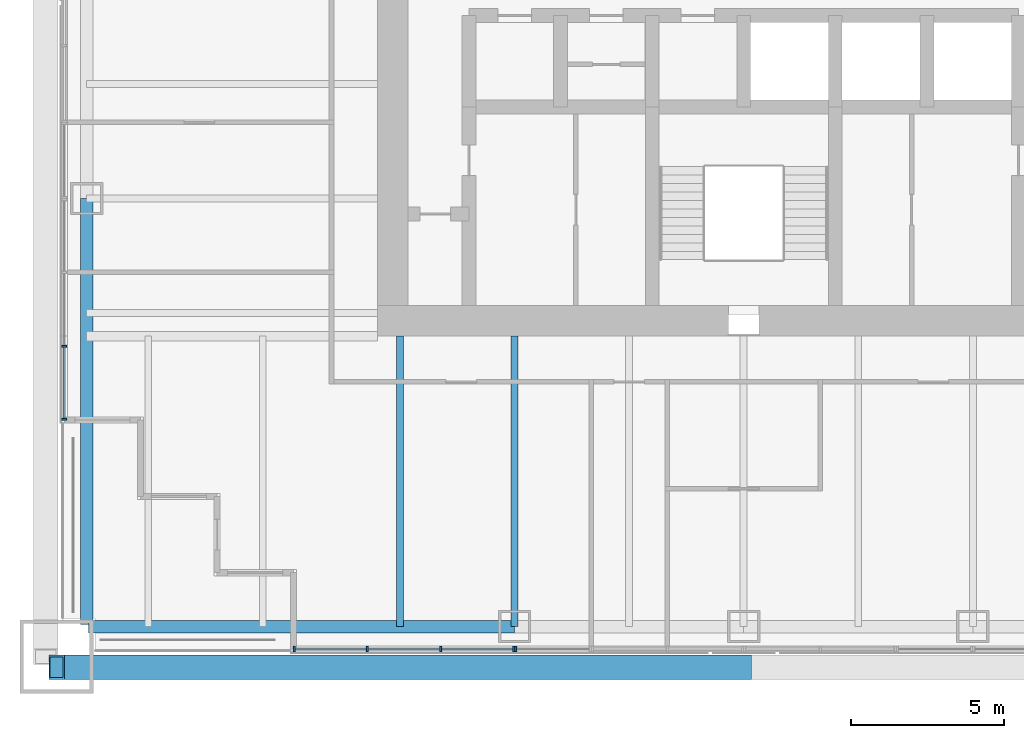
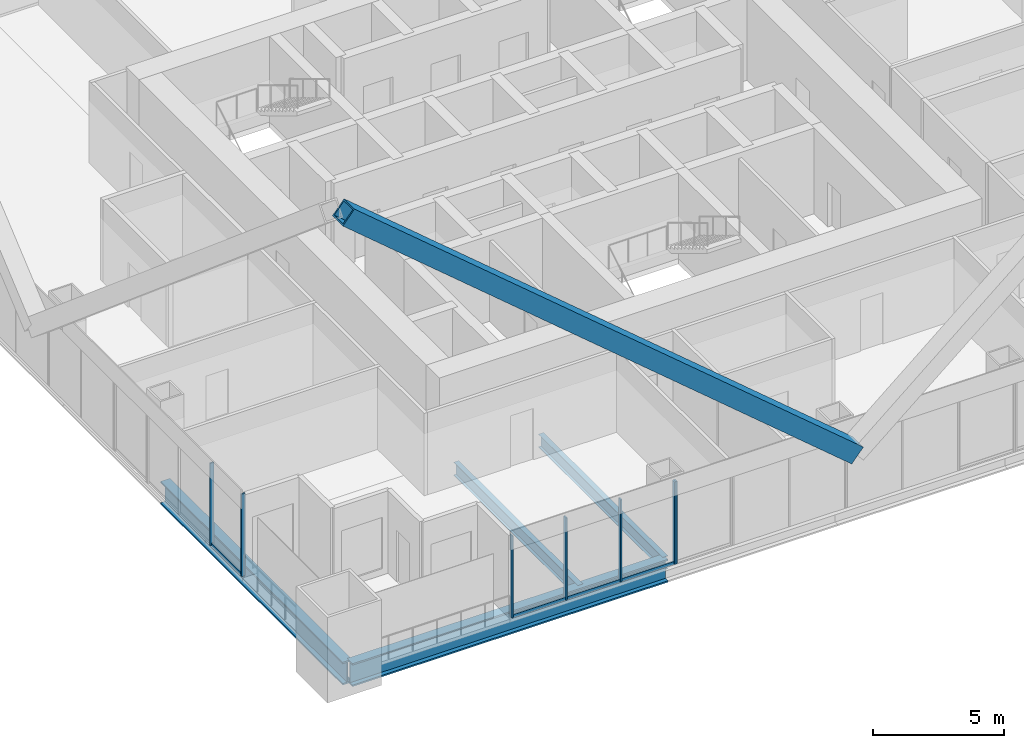
# One storey, part 2 of 19: 12 members, 4 beams, 3 elements without a shape of their own.
"""IFC4 building model written with IfcOpenShell, lengths in metres."""

from ifc_helpers import new_model, si_unit, direction, frame, origin, origin_2d, place, context, subcontext, project, spatial, rectangle, hollow_rectangle, i_section, extrude, material, material_profile, profile_set, type_object, element, aggregate, save


model = new_model("IFC4")

# Units and contexts
model_context = context("Model", 3, precision=1e-05, world=origin(), true_north=direction((0.0, 1.0)))
body_context = subcontext(model_context, "Body", "Model", "MODEL_VIEW")
ifc_project = project(units=[si_unit("LENGTHUNIT", "METRE"), si_unit("AREAUNIT", "SQUARE_METRE"), si_unit("VOLUMEUNIT", "CUBIC_METRE"), si_unit("PLANEANGLEUNIT", "RADIAN"), si_unit("MASSUNIT", "GRAM", prefix="KILO")], contexts=[model_context])

# Site, building, storey
site_placement = place(None, origin())
site = spatial("IfcSite", under=ifc_project, at=site_placement, CompositionType="ELEMENT")
building_placement = place(site_placement, origin())
building = spatial("IfcBuilding", under=site, at=building_placement, Name="Tarangal Relay Tower", CompositionType="ELEMENT")
storey_placement = place(building_placement, frame((0.0, 0.0, 193.89990234375)))
storey = spatial("IfcBuildingStorey", under=building, at=storey_placement, Name="L40", CompositionType="ELEMENT", Elevation=193.89990234375)

# Beams
ifc_material_1 = material(Name="Steel ASTM A992", Category="steel")
ifc_material_profile_1 = material_profile(ifc_material_1, i_section(OverallWidth=0.41650390625, OverallDepth=1.0693359375, WebThickness=0.0390625, FlangeThickness=0.070068359375, at=origin_2d()), Name="W40X503")
ifc_profile_set_1 = profile_set([ifc_material_profile_1], Name="Steel ASTM A992")
beam_type_1 = type_object("IfcBeamType", Name="Edge girder W40X503", PredefinedType="SPANDREL", material=ifc_profile_set_1)
for number, where, z_axis, x_axis, name in (
    (1, (-7.5, -21.514892578125, -0.6845703125), (-1.0, 0.0, 0.0), (0.0, -1.0, 0.0), "Edge girder EG8 S L40"),
    (2, (-21.514892578125, -21.449951171875, -0.6845703125), (0.0, 1.0, 0.0), (-1.0, 0.0, 0.0), "Edge girder EG8 W L40"),
):
    element("IfcBeam", number, at=place(storey_placement, frame(where, z_axis=z_axis, x_axis=x_axis)), inside=storey, type_object=beam_type_1, Name=name, PredefinedType="SPANDREL", context=body_context, shape_type="SweptSolid", body=[
        extrude(i_section(OverallWidth=0.41650390625, OverallDepth=1.0693359375, WebThickness=0.0390625, FlangeThickness=0.070068359375, at=origin_2d()), origin(), (0.0, 0.0, 1.0), 13.949951171875),
    ])
ifc_material_profile_2 = material_profile(ifc_material_1, i_section(OverallWidth=0.22900390625, OverallDepth=0.612060546875, WebThickness=0.011962890625, FlangeThickness=0.01953125, at=origin_2d()), Name="W24X84")
ifc_profile_set_2 = profile_set([ifc_material_profile_2], Name="Steel ASTM A992")
beam_type_2 = type_object("IfcBeamType", Name="Floor beam W24X84", PredefinedType="BEAM", material=ifc_profile_set_2)
for number, where, z_axis, x_axis, name in (
    (3, (-7.5, -12.0, -0.455810546875), (0.0, -1.0, 0.0), (1.0, 0.0, 0.0), "Floor beam RB12 S L40"),
    (4, (-11.25, -12.0, -0.455810546875), (0.0, -1.0, 0.0), (1.0, 0.0, 0.0), "Floor beam RB12 S L40"),
):
    element("IfcBeam", number, at=place(storey_placement, frame(where, z_axis=z_axis, x_axis=x_axis)), inside=storey, type_object=beam_type_2, Name=name, PredefinedType="BEAM", context=body_context, shape_type="SweptSolid", body=[
        extrude(i_section(OverallWidth=0.22900390625, OverallDepth=0.612060546875, WebThickness=0.011962890625, FlangeThickness=0.01953125, at=origin_2d()), origin(), (0.0, 0.0, 1.0), 9.514892578125),
    ])

# Member
ifc_material_2 = material(Name="Steel ASTM A572 Grade 50", Category="steel")
ifc_material_profile_3 = material_profile(ifc_material_2, hollow_rectangle(XDim=0.800048828125, YDim=0.800048828125, WallThickness=0.06494140625, at=origin_2d()), Name="BOX800X800X65")
ifc_profile_set_3 = profile_set([ifc_material_profile_3], Name="Steel ASTM A572 Grade 50")
member_type_1 = type_object("IfcMemberType", Name="Mega brace BOX800X800X65", PredefinedType="BRACE", material=ifc_profile_set_3)
member_1_placement = place(storey_placement, frame((0.0, -22.85009765625, 3.0), z_axis=(-0.764029915847, 0.0, 0.645180817826), x_axis=(0.0, -1.0, 0.0)))
element("IfcMember", 5, at=member_1_placement, inside=storey, type_object=member_type_1, Name="Mega brace MB3 S face module 1", PredefinedType="BRACE", context=body_context, shape_type="SweptSolid", body=[
    extrude(hollow_rectangle(XDim=0.800048828125, YDim=0.800048828125, WallThickness=0.06494140625, at=origin_2d()), origin(), (0.0, 0.0, 1.0), 29.44921875),
])

# Curtain wall, member
ifc_material_3 = material(Name="Unitised curtain wall, dark glass and black aluminium", Category="aluminium")
curtain_wall_type = type_object("IfcCurtainWallType", Name="Curtain wall CW-A", PredefinedType="USERDEFINED", material=ifc_material_3)
curtain_wall_1_placement = place(storey_placement, origin())
curtain_wall_1 = element("IfcCurtainWall", 6, at=curtain_wall_1_placement, inside=storey, type_object=curtain_wall_type, Name="Curtain wall CW-A S facade L40", ObjectType="UNITISED CURTAIN WALL", PredefinedType="USERDEFINED")
ifc_material_4 = material(Name="Black anodised aluminium mullion", Category="aluminium")
ifc_material_profile_4 = material_profile(ifc_material_4, rectangle(XDim=0.175048828125, YDim=0.06494140625, at=origin_2d()), Name="CW-AM 65X175")
ifc_profile_set_4 = profile_set([ifc_material_profile_4], Name="Black anodised aluminium mullion")
member_type_2 = type_object("IfcMemberType", Name="Mullion CW-A 65 x 175", PredefinedType="MULLION", material=ifc_profile_set_4)
member_2_placement = place(storey_placement, frame((-7.467529296875, -22.25, 0.0), z_axis=(0.0, 0.0, 1.0), x_axis=(0.0, -1.0, 0.0)))
member_2 = element("IfcMember", 7, at=member_2_placement, type_object=member_type_2, Name="CW-A mullion 2", PredefinedType="MULLION", context=body_context, shape_type="SweptSolid", body=[
    extrude(rectangle(XDim=0.175048828125, YDim=0.06494140625, at=origin_2d()), origin(), (0.0, 0.0, 1.0), 3.85009765625),
])
aggregate(curtain_wall_1, [member_2])

# Curtain wall, members
curtain_wall_2_placement = place(storey_placement, origin())
curtain_wall_2 = element("IfcCurtainWall", 8, at=curtain_wall_2_placement, inside=storey, type_object=curtain_wall_type, Name="Curtain wall CW-A S facade L40", ObjectType="UNITISED CURTAIN WALL", PredefinedType="USERDEFINED")
member_3_placement = place(storey_placement, frame((-7.532470703125, -22.25, 0.0), z_axis=(0.0, 0.0, 1.0), x_axis=(0.0, -1.0, 0.0)))
member_3 = element("IfcMember", 9, at=member_3_placement, type_object=member_type_2, Name="CW-A mullion 1", PredefinedType="MULLION", context=body_context, shape_type="SweptSolid", body=[
    extrude(rectangle(XDim=0.175048828125, YDim=0.06494140625, at=origin_2d()), origin(), (0.0, 0.0, 1.0), 3.85009765625),
])
member_4_placement = place(storey_placement, frame((-9.916748046875, -22.25, 0.0), z_axis=(0.0, 0.0, 1.0), x_axis=(0.0, -1.0, 0.0)))
member_4 = element("IfcMember", 10, at=member_4_placement, type_object=member_type_2, Name="CW-A mullion 2", PredefinedType="MULLION", context=body_context, shape_type="SweptSolid", body=[
    extrude(rectangle(XDim=0.175048828125, YDim=0.06494140625, at=origin_2d()), origin(), (0.0, 0.0, 1.0), 3.85009765625),
])
member_5_placement = place(storey_placement, frame((-12.333251953125, -22.25, 0.0), z_axis=(0.0, 0.0, 1.0), x_axis=(0.0, -1.0, 0.0)))
member_5 = element("IfcMember", 11, at=member_5_placement, type_object=member_type_2, Name="CW-A mullion 3", PredefinedType="MULLION", context=body_context, shape_type="SweptSolid", body=[
    extrude(rectangle(XDim=0.175048828125, YDim=0.06494140625, at=origin_2d()), origin(), (0.0, 0.0, 1.0), 3.85009765625),
])
member_6_placement = place(storey_placement, frame((-14.717529296875, -22.25, 0.0), z_axis=(0.0, 0.0, 1.0), x_axis=(0.0, -1.0, 0.0)))
member_6 = element("IfcMember", 12, at=member_6_placement, type_object=member_type_2, Name="CW-A mullion 4", PredefinedType="MULLION", context=body_context, shape_type="SweptSolid", body=[
    extrude(rectangle(XDim=0.175048828125, YDim=0.06494140625, at=origin_2d()), origin(), (0.0, 0.0, 1.0), 3.85009765625),
])

curtain_wall_3_placement = place(storey_placement, origin())
curtain_wall_3 = element("IfcCurtainWall", 13, at=curtain_wall_3_placement, inside=storey, type_object=curtain_wall_type, Name="Curtain wall CW-A W facade L40", ObjectType="UNITISED CURTAIN WALL", PredefinedType="USERDEFINED")
member_7_placement = place(storey_placement, frame((-22.25, -14.717529296875, 0.0), z_axis=(0.0, 0.0, 1.0), x_axis=(-1.0, 0.0, 0.0)))
member_7 = element("IfcMember", 14, at=member_7_placement, type_object=member_type_2, Name="CW-A mullion 1", PredefinedType="MULLION", context=body_context, shape_type="SweptSolid", body=[
    extrude(rectangle(XDim=0.175048828125, YDim=0.06494140625, at=origin_2d()), origin(), (0.0, 0.0, 1.0), 3.85009765625),
])
member_8_placement = place(storey_placement, frame((-22.25, -12.333251953125, 0.0), z_axis=(0.0, 0.0, 1.0), x_axis=(-1.0, 0.0, 0.0)))
member_8 = element("IfcMember", 15, at=member_8_placement, type_object=member_type_2, Name="CW-A mullion 2", PredefinedType="MULLION", context=body_context, shape_type="SweptSolid", body=[
    extrude(rectangle(XDim=0.175048828125, YDim=0.06494140625, at=origin_2d()), origin(), (0.0, 0.0, 1.0), 3.85009765625),
])

# Member
ifc_material_5 = material(Name="Black anodised aluminium transom", Category="aluminium")
ifc_material_profile_5 = material_profile(ifc_material_5, rectangle(XDim=0.06494140625, YDim=0.14990234375, at=origin_2d()), Name="CW-AT 65X150")
ifc_profile_set_5 = profile_set([ifc_material_profile_5], Name="Black anodised aluminium transom")
member_type_3 = type_object("IfcMemberType", Name="Transom CW-A 65 x 150", PredefinedType="USERDEFINED", material=ifc_profile_set_5)
member_9_placement = place(storey_placement, frame((-7.56494140625, -22.25, 0.03271484375), z_axis=(-1.0, 0.0, 0.0), x_axis=(0.0, -1.0, 0.0)))
member_9 = element("IfcMember", 16, at=member_9_placement, type_object=member_type_3, Name="CW-A transom 1.1", ObjectType="TRANSOM", PredefinedType="USERDEFINED", context=body_context, shape_type="SweptSolid", body=[
    extrude(rectangle(XDim=0.06494140625, YDim=0.14990234375, at=origin_2d()), origin(), (0.0, 0.0, 1.0), 2.3193359375),
])

member_10_placement = place(storey_placement, frame((-9.94921875, -22.25, 0.03271484375), z_axis=(-1.0, 0.0, 0.0), x_axis=(0.0, -1.0, 0.0)))
member_10 = element("IfcMember", 17, at=member_10_placement, type_object=member_type_3, Name="CW-A transom 2.1", ObjectType="TRANSOM", PredefinedType="USERDEFINED", context=body_context, shape_type="SweptSolid", body=[
    extrude(rectangle(XDim=0.06494140625, YDim=0.14990234375, at=origin_2d()), origin(), (0.0, 0.0, 1.0), 2.3515625),
])

member_11_placement = place(storey_placement, frame((-12.36572265625, -22.25, 0.03271484375), z_axis=(-1.0, 0.0, 0.0), x_axis=(0.0, -1.0, 0.0)))
member_11 = element("IfcMember", 18, at=member_11_placement, type_object=member_type_3, Name="CW-A transom 3.1", ObjectType="TRANSOM", PredefinedType="USERDEFINED", context=body_context, shape_type="SweptSolid", body=[
    extrude(rectangle(XDim=0.06494140625, YDim=0.14990234375, at=origin_2d()), origin(), (0.0, 0.0, 1.0), 2.3193359375),
])

aggregate(curtain_wall_2, [member_3, member_4, member_5, member_6, member_9, member_10, member_11])

member_12_placement = place(storey_placement, frame((-22.25, -14.68505859375, 0.03271484375), z_axis=(0.0, 1.0, 0.0), x_axis=(-1.0, 0.0, 0.0)))
member_12 = element("IfcMember", 19, at=member_12_placement, type_object=member_type_3, Name="CW-A transom 1.1", ObjectType="TRANSOM", PredefinedType="USERDEFINED", context=body_context, shape_type="SweptSolid", body=[
    extrude(rectangle(XDim=0.06494140625, YDim=0.14990234375, at=origin_2d()), origin(), (0.0, 0.0, 1.0), 2.3193359375),
])

aggregate(curtain_wall_3, [member_7, member_8, member_12])

save(model, "model.ifc")
